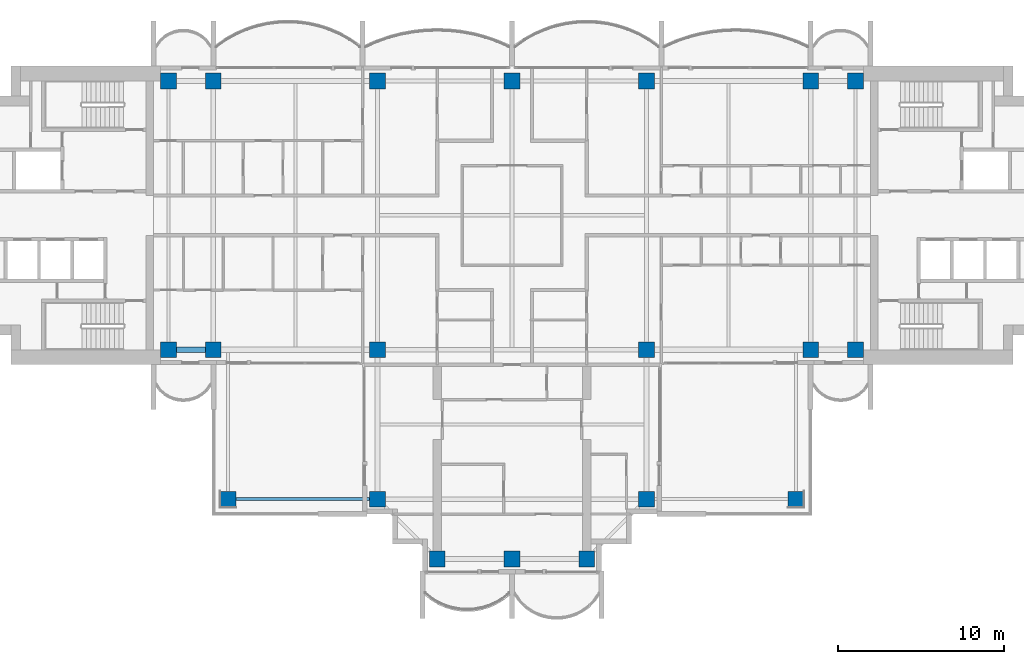
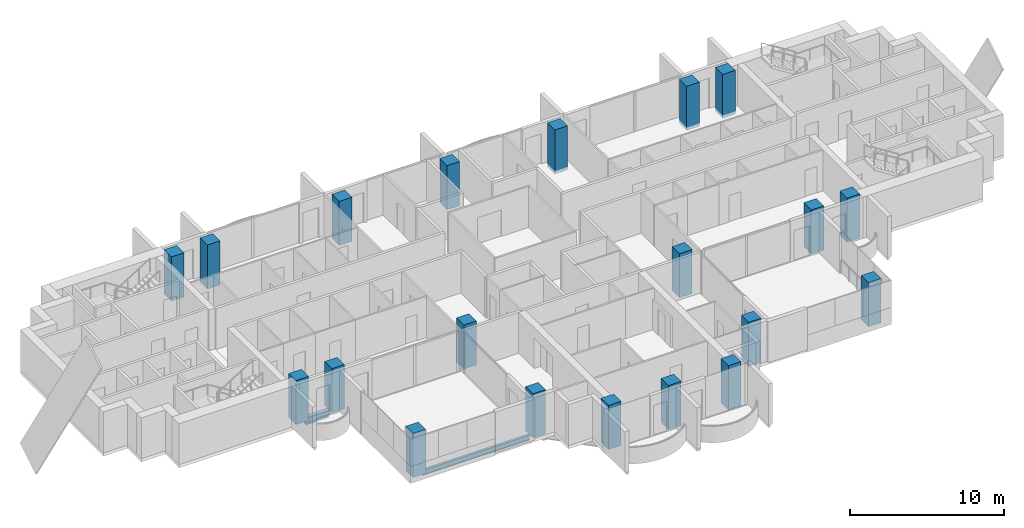
# One storey, part 1 of 17: 20 columns, 2 beams.
"""IFC4 building model written with IfcOpenShell, lengths in metres."""

from ifc_helpers import new_model, si_unit, direction, frame, origin, origin_2d, place, context, subcontext, project, spatial, rectangle, i_section, extrude, material, material_profile, profile_set, type_object, element, save


model = new_model("IFC4")

# Units and contexts
model_context = context("Model", 3, precision=1e-05, world=origin(), true_north=direction((0.0, 1.0)))
body_context = subcontext(model_context, "Body", "Model", "MODEL_VIEW")
ifc_project = project(units=[si_unit("LENGTHUNIT", "METRE"), si_unit("AREAUNIT", "SQUARE_METRE"), si_unit("VOLUMEUNIT", "CUBIC_METRE"), si_unit("PLANEANGLEUNIT", "RADIAN"), si_unit("MASSUNIT", "GRAM", prefix="KILO")], contexts=[model_context])

# Site, building, storey
site_placement = place(None, origin())
site = spatial("IfcSite", under=ifc_project, at=site_placement, CompositionType="ELEMENT")
building_placement = place(site_placement, origin())
building = spatial("IfcBuilding", under=site, at=building_placement, Name="Perihelion Cross Residences", CompositionType="ELEMENT")
storey_placement = place(building_placement, frame((0.0, 0.0, 191.10009765625)))
storey = spatial("IfcBuildingStorey", under=building, at=storey_placement, Name="L47", CompositionType="ELEMENT", Elevation=191.10009765625)

# Columns
ifc_material_1 = material(Name="Concrete C60/75", Category="concrete")
ifc_material_profile_1 = material_profile(ifc_material_1, rectangle(XDim=0.949951171875, YDim=0.949951171875, at=origin_2d()), Name="RC 950x950")
ifc_profile_set_1 = profile_set([ifc_material_profile_1], Name="Concrete C60/75")
column_type = type_object("IfcColumnType", Name="Reinforced concrete column 950x950 C60/75", PredefinedType="COLUMN", material=ifc_profile_set_1)
for number, where, z_axis, x_axis, name in (
    (1, (-20.699951171875, -8.10009765625, -0.25), (0.0, 0.0, 1.0), (1.0, 0.0, 0.0), "Column C017 L47 no. 1"),
    (2, (-20.699951171875, 8.10009765625, -0.25), (0.0, 0.0, 1.0), (1.0, 0.0, 0.0), "Column C010 L47 no. 1"),
    (3, (-18.0, -8.10009765625, -0.25), (0.0, 0.0, 1.0), (1.0, 0.0, 0.0), "Column C018 L47 no. 1"),
    (4, (-18.0, 8.10009765625, -0.25), (0.0, 0.0, 1.0), (1.0, 0.0, 0.0), "Column C011 L47 no. 1"),
    (5, (-8.10009765625, -17.10009765625, -0.25), (0.0, 0.0, 1.0), (1.0, 0.0, 0.0), "Column C031 L47 no. 1"),
    (6, (-8.10009765625, -8.10009765625, -0.25), (0.0, 0.0, 1.0), (1.0, 0.0, 0.0), "Column C019 L47 no. 1"),
    (7, (-8.10009765625, 8.10009765625, -0.25), (0.0, 0.0, 1.0), (1.0, 0.0, 0.0), "Column C012 L47 no. 1"),
    (8, (-4.5, -20.699951171875, -0.25), (0.0, 0.0, 1.0), (1.0, 0.0, 0.0), "Column C037 L47 no. 1"),
    (9, (0.0, -20.699951171875, -0.25), (0.0, 0.0, 1.0), (1.0, 0.0, 0.0), "Column C038 L47 no. 1"),
    (10, (0.0, 8.10009765625, -0.25), (0.0, 0.0, 1.0), (1.0, 0.0, 0.0), "Column C013 L47 no. 1"),
    (11, (4.5, -20.699951171875, -0.25), (0.0, 0.0, 1.0), (1.0, 0.0, 0.0), "Column C039 L47 no. 1"),
    (12, (8.10009765625, -17.10009765625, -0.25), (0.0, 0.0, 1.0), (1.0, 0.0, 0.0), "Column C035 L47 no. 1"),
    (13, (8.10009765625, -8.10009765625, -0.25), (0.0, 0.0, 1.0), (1.0, 0.0, 0.0), "Column C020 L47 no. 1"),
    (14, (8.10009765625, 8.10009765625, -0.25), (0.0, 0.0, 1.0), (1.0, 0.0, 0.0), "Column C014 L47 no. 1"),
    (15, (18.0, -8.10009765625, -0.25), (0.0, 0.0, 1.0), (1.0, 0.0, 0.0), "Column C021 L47 no. 1"),
    (16, (18.0, 8.10009765625, -0.25), (0.0, 0.0, 1.0), (1.0, 0.0, 0.0), "Column C015 L47 no. 1"),
    (17, (20.699951171875, -8.10009765625, -0.25), (0.0, 0.0, 1.0), (1.0, 0.0, 0.0), "Column C022 L47 no. 1"),
    (18, (20.699951171875, 8.10009765625, -0.25), (0.0, 0.0, 1.0), (1.0, 0.0, 0.0), "Column C016 L47 no. 1"),
    (19, (-17.10009765625, -17.10009765625, -0.25), (0.0, 0.0, 1.0), (1.0, 0.0, 0.0), "Column C030 L47 no. 1"),
    (20, (17.10009765625, -17.10009765625, -0.25), (0.0, 0.0, 1.0), (1.0, 0.0, 0.0), "Column C036 L47 no. 1"),
):
    element("IfcColumn", number, at=place(storey_placement, frame(where, z_axis=z_axis, x_axis=x_axis)), inside=storey, type_object=column_type, Name=name, PredefinedType="COLUMN", context=body_context, shape_type="SweptSolid", body=[
        extrude(rectangle(XDim=0.949951171875, YDim=0.949951171875, at=origin_2d()), origin(), (0.0, 0.0, 1.0), 3.5),
    ])

# Beams
ifc_material_2 = material(Name="Steel S355", Category="steel")
ifc_material_profile_2 = material_profile(ifc_material_2, i_section(OverallWidth=0.177978515625, OverallDepth=0.406005859375, WebThickness=0.0078125, FlangeThickness=0.0126953125, at=origin_2d()), Name="W410x60")
ifc_profile_set_2 = profile_set([ifc_material_profile_2], Name="Steel S355")
beam_type_1 = type_object("IfcBeamType", Name="Core edge beam W410x60", PredefinedType="BEAM", material=ifc_profile_set_2)
beam_1_placement = place(storey_placement, frame((-8.574951171875, -17.10009765625, -0.453125), z_axis=(-1.0, 0.0, 0.0), x_axis=(0.0, -1.0, 0.0)))
element("IfcBeam", 21, at=beam_1_placement, inside=storey, type_object=beam_type_1, Name="Core edge beam TB2 L47 corner no. 2", PredefinedType="BEAM", context=body_context, shape_type="SweptSolid", body=[
    extrude(i_section(OverallWidth=0.177978515625, OverallDepth=0.406005859375, WebThickness=0.0078125, FlangeThickness=0.0126953125, at=origin_2d()), origin(), (0.0, 0.0, 1.0), 8.050048828125),
])
ifc_material_3 = material(Name="Steel S355", Category="steel")
ifc_material_profile_3 = material_profile(ifc_material_3, i_section(OverallWidth=0.31201171875, OverallDepth=0.5439453125, WebThickness=0.0126953125, FlangeThickness=0.020263671875, at=origin_2d()), Name="W530x150")
ifc_profile_set_3 = profile_set([ifc_material_profile_3], Name="Steel S355")
beam_type_2 = type_object("IfcBeamType", Name="Edge beam W530x150", PredefinedType="SPANDREL", material=ifc_profile_set_3)
beam_2_placement = place(storey_placement, frame((-20.22509765625, -8.10009765625, -0.522216796875), z_axis=(1.0, 0.0, 0.0), x_axis=(0.0, 1.0, 0.0)))
element("IfcBeam", 22, at=beam_2_placement, inside=storey, type_object=beam_type_2, Name="Edge beam SB4 L47 no. 3", PredefinedType="SPANDREL", context=body_context, shape_type="SweptSolid", body=[
    extrude(i_section(OverallWidth=0.31201171875, OverallDepth=0.5439453125, WebThickness=0.0126953125, FlangeThickness=0.020263671875, at=origin_2d()), origin(), (0.0, 0.0, 1.0), 1.75),
])

save(model, "model.ifc")
